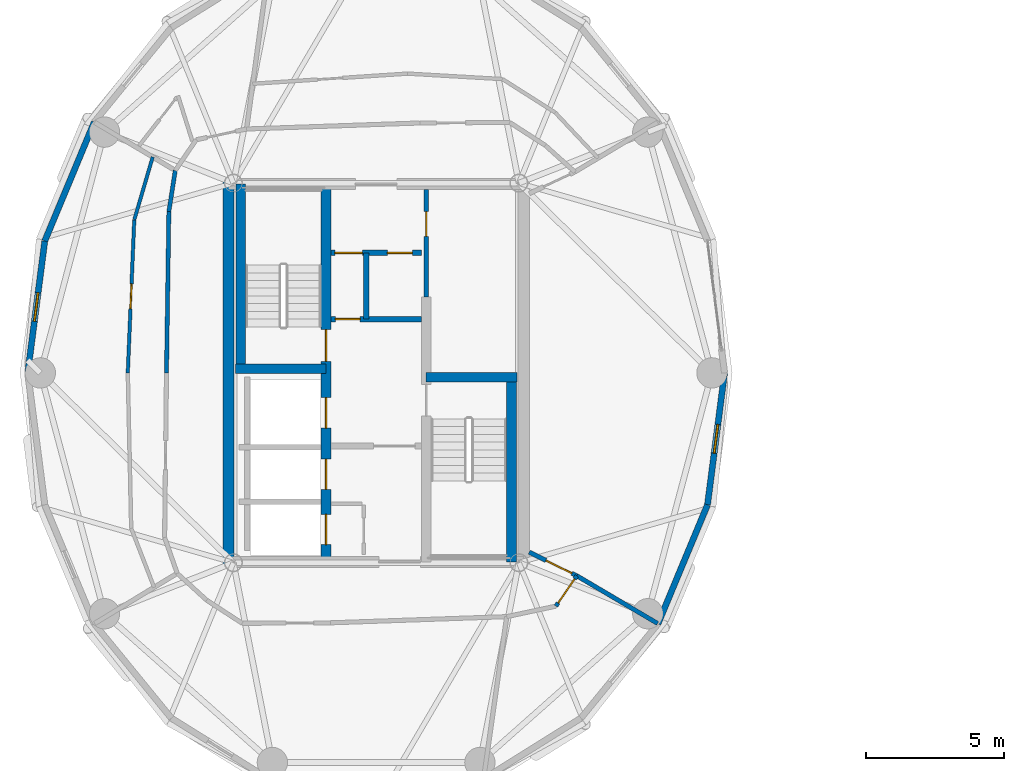
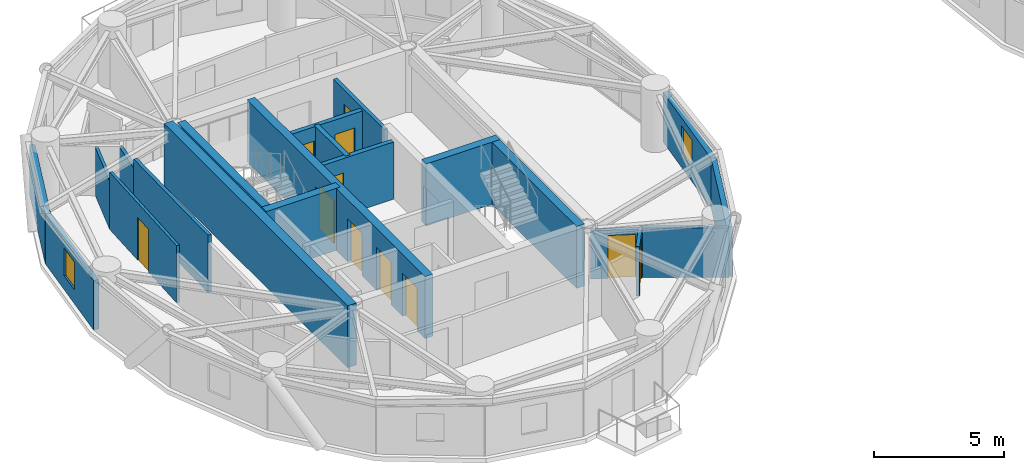
# One storey, part 8 of 16: 21 walls, 11 doors, 2 windows, 13 openings.
"""IFC4 building model written with IfcOpenShell, lengths in metres."""

from ifc_helpers import new_model, si_unit, direction, frame, frame_2d, origin, place, context, subcontext, project, spatial, rectangle, extrude, source, transform, mapped, material, layer, layer_set, type_object, element, fill, save


model = new_model("IFC4")

# Units and contexts
model_context = context("Model", 3, precision=1e-05, world=origin(), true_north=direction((0.0, 1.0)))
body_context = subcontext(model_context, "Body", "Model", "MODEL_VIEW")
ifc_project = project(units=[si_unit("LENGTHUNIT", "METRE"), si_unit("AREAUNIT", "SQUARE_METRE"), si_unit("VOLUMEUNIT", "CUBIC_METRE"), si_unit("PLANEANGLEUNIT", "RADIAN"), si_unit("MASSUNIT", "GRAM", prefix="KILO")], contexts=[model_context])

# Site, building, storey
site_placement = place(None, origin())
site = spatial("IfcSite", under=ifc_project, at=site_placement, CompositionType="ELEMENT")
building_placement = place(site_placement, origin())
building = spatial("IfcBuilding", under=site, at=building_placement, Name="Cununo Teusaquillo Station Towers", CompositionType="ELEMENT")
storey_placement = place(building_placement, frame((0.0, 0.0, 217.030029296875)))
storey = spatial("IfcBuildingStorey", under=building, at=storey_placement, Name="L69", CompositionType="ELEMENT", Elevation=217.030029296875)

# Wall, openings, doors
ifc_material_1 = material(Name="Concrete C50/60", Category="concrete")
ifc_layer_1 = layer(ifc_material_1, 0.35009765625)
ifc_layer_set_1 = layer_set([ifc_layer_1], Name="Concrete C50/60")
wall_type_1 = type_object("IfcWallType", Name="WL-CORE-350", PredefinedType="SHEAR", material=ifc_layer_set_1)
wall_1_placement = place(storey_placement, frame((14.68505859375, 17.64990234375, 0.0), z_axis=(0.0, 0.0, 1.0), x_axis=(0.0, 1.0, 0.0)))
wall_1 = element("IfcWall", 1, at=wall_1_placement, inside=storey, type_object=wall_type_1, Name="L69 Tower A Core Shear Wall IW", PredefinedType="SHEAR", context=body_context, shape_type="SweptSolid", body=[
    extrude(rectangle(XDim=13.7001953125, YDim=0.35009765625, at=frame_2d((6.85009765625, 0.0))), origin(), (0.0, 0.0, 1.0), 2.909912109375),
])
shared_shape_1 = source(origin(), body_context, "Body", "SweptSolid", [
    extrude(rectangle(XDim=1.10009765625, YDim=2.014892578125, at=frame_2d((0.550048828125, 1.00732421875))), frame((0.0, 0.18505859375, 0.0), z_axis=(0.0, -1.0, 0.0), x_axis=(1.0, 0.0, 0.0)), (0.0, 0.0, 1.0), 0.3701171875),
])
opening_1_placement = place(wall_1_placement, frame((4.85009765625, 0.0, 0.0)))
opening_1 = element("IfcOpeningElement", 2, at=opening_1_placement, cuts=wall_1, Name="Opening LD-01", PredefinedType="OPENING", context=body_context, shape_type="MappedRepresentation", body=[
    mapped(shared_shape_1, transform((0.0, 0.0, 0.0), x_axis=(1.0, 0.0, 0.0), y_axis=(0.0, 1.0, 0.0), z_axis=(0.0, 0.0, 1.0), scale=1.0)),
])
opening_2_placement = place(wall_1_placement, frame((0.625, 0.0, 0.0)))
opening_2 = element("IfcOpeningElement", 3, at=opening_2_placement, cuts=wall_1, Name="Opening LD-01", PredefinedType="OPENING", context=body_context, shape_type="MappedRepresentation", body=[
    mapped(shared_shape_1, transform((0.0, 0.0, 0.0), x_axis=(1.0, 0.0, 0.0), y_axis=(0.0, 1.0, 0.0), z_axis=(0.0, 0.0, 1.0), scale=1.0)),
])
opening_3_placement = place(wall_1_placement, frame((2.625, 0.0, 0.0)))
opening_3 = element("IfcOpeningElement", 4, at=opening_3_placement, cuts=wall_1, Name="Opening LD-01", PredefinedType="OPENING", context=body_context, shape_type="MappedRepresentation", body=[
    mapped(shared_shape_1, transform((0.0, 0.0, 0.0), x_axis=(1.0, 0.0, 0.0), y_axis=(0.0, 1.0, 0.0), z_axis=(0.0, 0.0, 1.0), scale=1.0)),
])
shared_shape_2 = source(origin(), body_context, "Body", "SweptSolid", [
    extrude(rectangle(XDim=1.14990234375, YDim=2.02001953125, at=frame_2d((0.574951171875, 1.010009765625))), frame((0.0, 0.18505859375, 0.0), z_axis=(0.0, -1.0, 0.0), x_axis=(1.0, 0.0, 0.0)), (0.0, 0.0, 1.0), 0.3701171875),
])
opening_4_placement = place(wall_1_placement, frame((7.27001953125, 0.0, 0.0)))
opening_4 = element("IfcOpeningElement", 5, at=opening_4_placement, cuts=wall_1, Name="Opening D-ST1", PredefinedType="OPENING", context=body_context, shape_type="MappedRepresentation", body=[
    mapped(shared_shape_2, transform((0.0, 0.0, 0.0), x_axis=(1.0, 0.0, 0.0), y_axis=(0.0, 1.0, 0.0), z_axis=(0.0, 0.0, 1.0), scale=1.0)),
])
ifc_material_2 = material(Name="Galvanised fire-rated hollow steel door assembly", Category="steel")
door_type_1 = type_object("IfcDoorType", Name="DR-LIFT-1100", OperationType="SLIDING_TO_LEFT", PredefinedType="DOOR", material=ifc_material_2)
shared_shape_3 = source(origin(), body_context, "Body", "SweptSolid", [
    extrude(rectangle(XDim=1.10009765625, YDim=2.014892578125, at=frame_2d((0.550048828125, 1.00732421875))), frame((0.0, 0.02490234375, 0.0), z_axis=(0.0, -1.0, 0.0), x_axis=(1.0, 0.0, 0.0)), (0.0, 0.0, 1.0), 0.050048828125),
])
door_1_placement = place(opening_1_placement, origin())
door_1 = element("IfcDoor", 6, at=door_1_placement, inside=storey, type_object=door_type_1, Name="L69 Lift FL-T1 Sliding Landing Door", OperationType="SLIDING_TO_RIGHT", OverallHeight=2.014892578125, OverallWidth=1.10009765625, PredefinedType="DOOR", context=body_context, shape_type="MappedRepresentation", body=[
    mapped(shared_shape_3, transform((0.0, 0.0, 0.0), x_axis=(1.0, 0.0, 0.0), y_axis=(0.0, 1.0, 0.0), z_axis=(0.0, 0.0, 1.0), scale=1.0)),
])
fill(opening_1, door_1)
door_2_placement = place(opening_2_placement, origin())
door_2 = element("IfcDoor", 7, at=door_2_placement, inside=storey, type_object=door_type_1, Name="L69 Lift PL-T1-H1 Sliding Landing Door", OperationType="SLIDING_TO_RIGHT", OverallHeight=2.014892578125, OverallWidth=1.10009765625, PredefinedType="DOOR", context=body_context, shape_type="MappedRepresentation", body=[
    mapped(shared_shape_3, transform((0.0, 0.0, 0.0), x_axis=(1.0, 0.0, 0.0), y_axis=(0.0, 1.0, 0.0), z_axis=(0.0, 0.0, 1.0), scale=1.0)),
])
fill(opening_2, door_2)
door_3_placement = place(opening_3_placement, origin())
door_3 = element("IfcDoor", 8, at=door_3_placement, inside=storey, type_object=door_type_1, Name="L69 Lift PL-T1-H2 Sliding Landing Door", OperationType="SLIDING_TO_LEFT", OverallHeight=2.014892578125, OverallWidth=1.10009765625, PredefinedType="DOOR", context=body_context, shape_type="MappedRepresentation", body=[
    mapped(shared_shape_3, transform((0.0, 0.0, 0.0), x_axis=(1.0, 0.0, 0.0), y_axis=(0.0, 1.0, 0.0), z_axis=(0.0, 0.0, 1.0), scale=1.0)),
])
fill(opening_3, door_3)
ifc_material_3 = material(Name="Galvanised fire-rated hollow steel door assembly", Category="steel")
door_type_2 = type_object("IfcDoorType", Name="DR-STAIR-1150", OperationType="NOTDEFINED", PredefinedType="DOOR", material=ifc_material_3)
shared_shape_4 = source(origin(), body_context, "Body", "SweptSolid", [
    extrude(rectangle(XDim=1.14990234375, YDim=2.02001953125, at=frame_2d((0.574951171875, 1.010009765625))), frame((0.0, 0.02490234375, 0.0), z_axis=(0.0, -1.0, 0.0), x_axis=(1.0, 0.0, 0.0)), (0.0, 0.0, 1.0), 0.050048828125),
])
door_4_placement = place(opening_4_placement, origin())
door_4 = element("IfcDoor", 9, at=door_4_placement, inside=storey, type_object=door_type_2, Name="L69 Tower A Exit Stair 1 Fire Door", OperationType="SINGLE_SWING_RIGHT", OverallHeight=2.02001953125, OverallWidth=1.14990234375, PredefinedType="DOOR", context=body_context, shape_type="MappedRepresentation", body=[
    mapped(shared_shape_4, transform((0.0, 0.0, 0.0), x_axis=(1.0, 0.0, 0.0), y_axis=(0.0, 1.0, 0.0), z_axis=(0.0, 0.0, 1.0), scale=1.0)),
])
fill(opening_4, door_4)

# Walls
wall_2_placement = place(storey_placement, frame((11.594970703125, 24.655029296875, 0.0), z_axis=(0.0, 0.0, 1.0), x_axis=(0.0, 1.0, 0.0)))
element("IfcWall", 10, at=wall_2_placement, inside=storey, type_object=wall_type_1, Name="L69 Tower A Core Shear Wall ST1W", PredefinedType="SHEAR", context=body_context, shape_type="SweptSolid", body=[
    extrude(rectangle(XDim=6.695068359375, YDim=0.35009765625, at=frame_2d((3.34765625, 0.0))), origin(), (0.0, 0.0, 1.0), 2.909912109375),
])
wall_3_placement = place(storey_placement, frame((11.39990234375, 24.655029296875, 0.0), z_axis=(0.0, 0.0, 1.0), x_axis=(1.0, 0.0, 0.0)))
element("IfcWall", 11, at=wall_3_placement, inside=storey, type_object=wall_type_1, Name="L69 Tower A Core Shear Wall ST1S", PredefinedType="SHEAR", context=body_context, shape_type="SweptSolid", body=[
    extrude(rectangle(XDim=3.28515625, YDim=0.35009765625, at=frame_2d((1.642578125, 0.0))), origin(), (0.0, 0.0, 1.0), 2.909912109375),
])
wall_4_placement = place(storey_placement, frame((21.405029296875, 17.64990234375, 0.0), z_axis=(0.0, 0.0, 1.0), x_axis=(0.0, 1.0, 0.0)))
element("IfcWall", 12, at=wall_4_placement, inside=storey, type_object=wall_type_1, Name="L69 Tower A Core Shear Wall ST2E", PredefinedType="SHEAR", context=body_context, shape_type="SweptSolid", body=[
    extrude(rectangle(XDim=6.695068359375, YDim=0.35009765625, at=frame_2d((3.34765625, 0.0))), origin(), (0.0, 0.0, 1.0), 2.909912109375),
])
wall_5_placement = place(storey_placement, frame((18.31494140625, 24.344970703125, 0.0), z_axis=(0.0, 0.0, 1.0), x_axis=(1.0, 0.0, 0.0)))
element("IfcWall", 13, at=wall_5_placement, inside=storey, type_object=wall_type_1, Name="L69 Tower A Core Shear Wall ST2N", PredefinedType="SHEAR", context=body_context, shape_type="SweptSolid", body=[
    extrude(rectangle(XDim=3.28515625, YDim=0.35009765625, at=frame_2d((1.642578125, 0.0))), origin(), (0.0, 0.0, 1.0), 2.909912109375),
])
ifc_material_4 = material(Name="Concrete C50/60", Category="concrete")
ifc_layer_2 = layer(ifc_material_4, 0.39990234375)
ifc_layer_set_2 = layer_set([ifc_layer_2], Name="Concrete C50/60")
wall_type_2 = type_object("IfcWallType", Name="WL-CORE-400", PredefinedType="SHEAR", material=ifc_layer_set_2)
wall_6_placement = place(storey_placement, frame((11.14990234375, 17.449951171875, 0.0), z_axis=(0.0, 0.0, 1.0), x_axis=(0.0, 1.0, 0.0)))
element("IfcWall", 14, at=wall_6_placement, inside=storey, type_object=wall_type_2, Name="L69 Tower A Core Shear Wall W", PredefinedType="SHEAR", context=body_context, shape_type="SweptSolid", body=[
    extrude(rectangle(XDim=14.10009765625, YDim=0.39990234375, at=frame_2d((7.050048828125, 0.0))), origin(), (0.0, 0.0, 1.0), 2.909912109375),
])
ifc_material_5 = material(Name="Precast concrete C40/50", Category="concrete")
ifc_layer_3 = layer(ifc_material_5, 0.219970703125)
ifc_layer_set_3 = layer_set([ifc_layer_3], Name="Precast concrete C40/50")
wall_type_3 = type_object("IfcWallType", Name="WL-EXT-220", PredefinedType="SOLIDWALL", material=ifc_layer_set_3)
wall_7_placement = place(storey_placement, frame((4.48828125, 29.280517578125, 0.0), z_axis=(0.0, 0.0, 1.0), x_axis=(0.384036305194, 0.923317993052, 0.0)))
element("IfcWall", 15, at=wall_7_placement, inside=storey, type_object=wall_type_3, Name="L69 Tower A Exterior Facade Wall C08", PredefinedType="SOLIDWALL", context=body_context, shape_type="SweptSolid", body=[
    extrude(rectangle(XDim=4.670654296875, YDim=0.219970703125, at=frame_2d((2.33544921875, 0.0))), origin(), (0.0, 0.0, 1.0), 2.322021484375),
])

# Wall, opening, window
wall_8_placement = place(storey_placement, frame((3.8701171875, 24.5, 0.0), z_axis=(0.0, 0.0, 1.0), x_axis=(0.128241318541, 0.991742993027, 0.0)))
wall_8 = element("IfcWall", 16, at=wall_8_placement, inside=storey, type_object=wall_type_3, Name="L69 Tower A Exterior Facade Wall C09", PredefinedType="SOLIDWALL", context=body_context, shape_type="SweptSolid", body=[
    extrude(rectangle(XDim=4.8203125, YDim=0.219970703125, at=frame_2d((2.41015625, 0.0))), origin(), (0.0, 0.0, 1.0), 2.322021484375),
])
shared_shape_5 = source(origin(), body_context, "Body", "SweptSolid", [
    extrude(rectangle(XDim=1.050048828125, YDim=1.300048828125, at=frame_2d((0.52490234375, 0.64990234375))), frame((0.0, 0.119873046875, 0.0), z_axis=(0.0, -1.0, 0.0), x_axis=(1.0, 0.0, 0.0)), (0.0, 0.0, 1.0), 0.239990234375),
])
opening_5_placement = place(wall_8_placement, frame((1.885009765625, 0.0, 0.64990234375)))
opening_5 = element("IfcOpeningElement", 17, at=opening_5_placement, cuts=wall_8, Name="Opening WN-04", PredefinedType="OPENING", context=body_context, shape_type="MappedRepresentation", body=[
    mapped(shared_shape_5, transform((0.0, 0.0, 0.0), x_axis=(1.0, 0.0, 0.0), y_axis=(0.0, 1.0, 0.0), z_axis=(0.0, 0.0, 1.0), scale=1.0)),
])
ifc_material_6 = material(Name="Operable acoustic tinted low-E double glazing", Category="glass")
window_type = type_object("IfcWindowType", Name="WIN-BAL-1050", PartitioningType="SINGLE_PANEL", PredefinedType="WINDOW", material=ifc_material_6)
shared_shape_6 = source(origin(), body_context, "Body", "SweptSolid", [
    extrude(rectangle(XDim=1.050048828125, YDim=1.300048828125, at=frame_2d((0.52490234375, 0.64990234375))), frame((0.0, 0.030029296875, 0.0), z_axis=(0.0, -1.0, 0.0), x_axis=(1.0, 0.0, 0.0)), (0.0, 0.0, 1.0), 0.06005859375),
])
window_1_placement = place(opening_5_placement, origin())
window_1 = element("IfcWindow", 18, at=window_1_placement, inside=storey, type_object=window_type, Name="L69 Tower A Facade Window C09", OverallHeight=1.300048828125, OverallWidth=1.050048828125, PartitioningType="SINGLE_PANEL", PredefinedType="WINDOW", context=body_context, shape_type="MappedRepresentation", body=[
    mapped(shared_shape_6, transform((0.0, 0.0, 0.0), x_axis=(1.0, 0.0, 0.0), y_axis=(0.0, 1.0, 0.0), z_axis=(0.0, 0.0, 1.0), scale=1.0)),
])
fill(opening_5, window_1)

# Wall
wall_9_placement = place(storey_placement, frame((28.51171875, 19.719482421875, 0.0), z_axis=(0.0, 0.0, 1.0), x_axis=(-0.384036305194, -0.923317993052, 0.0)))
element("IfcWall", 19, at=wall_9_placement, inside=storey, type_object=wall_type_3, Name="L69 Tower A Exterior Facade Wall C18", PredefinedType="SOLIDWALL", context=body_context, shape_type="SweptSolid", body=[
    extrude(rectangle(XDim=4.670654296875, YDim=0.219970703125, at=frame_2d((2.33544921875, 0.0))), origin(), (0.0, 0.0, 1.0), 2.322021484375),
])

# Wall, opening, window
wall_10_placement = place(storey_placement, frame((29.1298828125, 24.5, 0.0), z_axis=(0.0, 0.0, 1.0), x_axis=(-0.128241318541, -0.991742993027, 0.0)))
wall_10 = element("IfcWall", 20, at=wall_10_placement, inside=storey, type_object=wall_type_3, Name="L69 Tower A Exterior Facade Wall C19", PredefinedType="SOLIDWALL", context=body_context, shape_type="SweptSolid", body=[
    extrude(rectangle(XDim=4.8203125, YDim=0.219970703125, at=frame_2d((2.41015625, 0.0))), origin(), (0.0, 0.0, 1.0), 2.322021484375),
])
opening_6_placement = place(wall_10_placement, frame((1.885009765625, 0.0, 0.64990234375)))
opening_6 = element("IfcOpeningElement", 21, at=opening_6_placement, cuts=wall_10, Name="Opening WN-04", PredefinedType="OPENING", context=body_context, shape_type="MappedRepresentation", body=[
    mapped(shared_shape_5, transform((0.0, 0.0, 0.0), x_axis=(1.0, 0.0, 0.0), y_axis=(0.0, 1.0, 0.0), z_axis=(0.0, 0.0, 1.0), scale=1.0)),
])
window_2_placement = place(opening_6_placement, origin())
window_2 = element("IfcWindow", 22, at=window_2_placement, inside=storey, type_object=window_type, Name="L69 Tower A Facade Window C19", OverallHeight=1.300048828125, OverallWidth=1.050048828125, PartitioningType="SINGLE_PANEL", PredefinedType="WINDOW", context=body_context, shape_type="MappedRepresentation", body=[
    mapped(shared_shape_6, transform((0.0, 0.0, 0.0), x_axis=(1.0, 0.0, 0.0), y_axis=(0.0, 1.0, 0.0), z_axis=(0.0, 0.0, 1.0), scale=1.0)),
])
fill(opening_6, window_2)

# Wall
ifc_material_7 = material(Name="Fire-rated gypsum plasterboard partition assembly", Category="gypsum")
ifc_layer_4 = layer(ifc_material_7, 0.125)
ifc_layer_set_4 = layer_set([ifc_layer_4], Name="Fire-rated gypsum plasterboard partition assembly")
wall_type_4 = type_object("IfcWallType", Name="WL-PART-125", PredefinedType="PARTITIONING", material=ifc_layer_set_4)
wall_11_placement = place(storey_placement, frame((8.40087890625, 32.32568359375, 0.0), z_axis=(0.0, 0.0, 1.0), x_axis=(-0.281681886596, -0.959507850288, 0.0)))
element("IfcWall", 23, at=wall_11_placement, inside=storey, type_object=wall_type_4, Name="L69 Tower A Cordillera Pinnacle Club Concentric Partition Wall C08", PredefinedType="PARTITIONING", context=body_context, shape_type="SweptSolid", body=[
    extrude(rectangle(XDim=2.3740234375, YDim=0.125, at=frame_2d((1.18701171875, 0.0))), origin(), (0.0, 0.0, 1.0), 2.2548828125),
])

# Wall, opening, door
wall_12_placement = place(storey_placement, frame((7.732177734375, 30.0478515625, 0.0), z_axis=(0.0, 0.0, 1.0), x_axis=(-0.042296211955, -0.999105114817, 0.0)))
wall_12 = element("IfcWall", 24, at=wall_12_placement, inside=storey, type_object=wall_type_4, Name="L69 Tower A Cordillera Pinnacle Club Concentric Partition Wall C09", PredefinedType="PARTITIONING", context=body_context, shape_type="SweptSolid", body=[
    extrude(rectangle(XDim=5.552734375, YDim=0.125, at=frame_2d((2.7763671875, 0.0))), origin(), (0.0, 0.0, 1.0), 2.68505859375),
])
shared_shape_7 = source(origin(), body_context, "Body", "SweptSolid", [
    extrude(rectangle(XDim=0.89990234375, YDim=2.0048828125, at=frame_2d((0.449951171875, 1.00244140625))), frame((0.0, 0.072509765625, 0.0), z_axis=(0.0, -1.0, 0.0), x_axis=(1.0, 0.0, 0.0)), (0.0, 0.0, 1.0), 0.14501953125),
])
opening_7_placement = place(wall_12_placement, frame((2.326416015625, 0.0, 0.0)))
opening_7 = element("IfcOpeningElement", 25, at=opening_7_placement, cuts=wall_12, Name="Opening D-IN1", PredefinedType="OPENING", context=body_context, shape_type="MappedRepresentation", body=[
    mapped(shared_shape_7, transform((0.0, 0.0, 0.0), x_axis=(1.0, 0.0, 0.0), y_axis=(0.0, 1.0, 0.0), z_axis=(0.0, 0.0, 1.0), scale=1.0)),
])
ifc_material_8 = material(Name="Acoustic solid-core hardwood leaf assembly", Category="wood")
door_type_3 = type_object("IfcDoorType", Name="DR-INT-900", OperationType="NOTDEFINED", PredefinedType="DOOR", material=ifc_material_8)
shared_shape_8 = source(origin(), body_context, "Body", "SweptSolid", [
    extrude(rectangle(XDim=0.89990234375, YDim=2.0048828125, at=frame_2d((0.449951171875, 1.00244140625))), frame((0.0, 0.02490234375, 0.0), z_axis=(0.0, -1.0, 0.0), x_axis=(1.0, 0.0, 0.0)), (0.0, 0.0, 1.0), 0.050048828125),
])
door_5_placement = place(opening_7_placement, origin())
door_5 = element("IfcDoor", 26, at=door_5_placement, inside=storey, type_object=door_type_3, Name="L69 Tower A Cordillera Pinnacle Club Connecting Door", OperationType="SINGLE_SWING_RIGHT", OverallHeight=2.0048828125, OverallWidth=0.89990234375, PredefinedType="DOOR", context=body_context, shape_type="MappedRepresentation", body=[
    mapped(shared_shape_8, transform((0.0, 0.0, 0.0), x_axis=(1.0, 0.0, 0.0), y_axis=(0.0, 1.0, 0.0), z_axis=(0.0, 0.0, 1.0), scale=1.0)),
])
fill(opening_7, door_5)

# Walls
ifc_material_9 = material(Name="Fire-rated gypsum plasterboard partition assembly", Category="gypsum")
ifc_layer_5 = layer(ifc_material_9, 0.14990234375)
ifc_layer_set_5 = layer_set([ifc_layer_5], Name="Fire-rated gypsum plasterboard partition assembly")
wall_type_5 = type_object("IfcWallType", Name="WL-PART-150", PredefinedType="PARTITIONING", material=ifc_layer_set_5)
wall_13_placement = place(storey_placement, frame((9.218505859375, 31.837646484375, 0.0), z_axis=(0.0, 0.0, 1.0), x_axis=(-0.154065528966, -0.98806063214, 0.0)))
element("IfcWall", 27, at=wall_13_placement, inside=storey, type_object=wall_type_5, Name="L69 Tower A Corridor Ring Wall C08", PredefinedType="PARTITIONING", context=body_context, shape_type="SweptSolid", body=[
    extrude(rectangle(XDim=1.507080078125, YDim=0.14990234375, at=frame_2d((0.75341796875, 0.0))), origin(), (0.0, 0.0, 1.0), 2.2548828125),
])
wall_14_placement = place(storey_placement, frame((8.986328125, 30.3486328125, 0.0), z_axis=(0.0, 0.0, 1.0), x_axis=(-0.014775478218, -0.999890836663, 0.0)))
element("IfcWall", 28, at=wall_14_placement, inside=storey, type_object=wall_type_5, Name="L69 Tower A Corridor Ring Wall C09", PredefinedType="PARTITIONING", context=body_context, shape_type="SweptSolid", body=[
    extrude(rectangle(XDim=5.849365234375, YDim=0.14990234375, at=frame_2d((2.9248046875, 0.0))), origin(), (0.0, 0.0, 1.0), 2.68505859375),
])

# Wall, opening, door
wall_15_placement = place(storey_placement, frame((23.0166015625, 16.045166015625, 0.0), z_axis=(0.0, 0.0, 1.0), x_axis=(0.566660656138, 0.823951273308, 0.0)))
wall_15 = element("IfcWall", 29, at=wall_15_placement, inside=storey, type_object=wall_type_5, Name="L69 Tower A Corridor Ring Wall C17", PredefinedType="PARTITIONING", context=body_context, shape_type="SweptSolid", body=[
    extrude(rectangle(XDim=1.3359375, YDim=0.14990234375, at=frame_2d((0.66796875, 0.0))), origin(), (0.0, 0.0, 1.0), 2.322021484375),
])
shared_shape_9 = source(origin(), body_context, "Body", "SweptSolid", [
    extrude(rectangle(XDim=1.050048828125, YDim=2.014892578125, at=frame_2d((0.52490234375, 1.00732421875))), frame((0.0, 0.0849609375, 0.0), z_axis=(0.0, -1.0, 0.0), x_axis=(1.0, 0.0, 0.0)), (0.0, 0.0, 1.0), 0.169921875),
])
opening_8_placement = place(wall_15_placement, frame((0.14306640625, 0.0, 0.0)))
opening_8 = element("IfcOpeningElement", 30, at=opening_8_placement, cuts=wall_15, Name="Opening D-SU1", PredefinedType="OPENING", context=body_context, shape_type="MappedRepresentation", body=[
    mapped(shared_shape_9, transform((0.0, 0.0, 0.0), x_axis=(1.0, 0.0, 0.0), y_axis=(0.0, 1.0, 0.0), z_axis=(0.0, 0.0, 1.0), scale=1.0)),
])
ifc_material_10 = material(Name="Acoustic solid-core hardwood leaf assembly", Category="wood")
door_type_4 = type_object("IfcDoorType", Name="DR-SUITE-1050", OperationType="NOTDEFINED", PredefinedType="DOOR", material=ifc_material_10)
shared_shape_10 = source(origin(), body_context, "Body", "SweptSolid", [
    extrude(rectangle(XDim=1.050048828125, YDim=2.014892578125, at=frame_2d((0.52490234375, 1.00732421875))), frame((0.0, 0.02490234375, 0.0), z_axis=(0.0, -1.0, 0.0), x_axis=(1.0, 0.0, 0.0)), (0.0, 0.0, 1.0), 0.050048828125),
])
door_6_placement = place(opening_8_placement, origin())
door_6 = element("IfcDoor", 31, at=door_6_placement, inside=storey, type_object=door_type_4, Name="L69 Tower A Hotel Housekeeping & Linen Pantry Entrance Door", OperationType="SINGLE_SWING_RIGHT", OverallHeight=2.014892578125, OverallWidth=1.050048828125, PredefinedType="DOOR", context=body_context, shape_type="MappedRepresentation", body=[
    mapped(shared_shape_10, transform((0.0, 0.0, 0.0), x_axis=(1.0, 0.0, 0.0), y_axis=(0.0, 1.0, 0.0), z_axis=(0.0, 0.0, 1.0), scale=1.0)),
])
fill(opening_8, door_6)

ifc_material_11 = material(Name="Fire-rated gypsum plasterboard partition assembly", Category="gypsum")
ifc_layer_6 = layer(ifc_material_11, 0.159912109375)
ifc_layer_set_6 = layer_set([ifc_layer_6], Name="Fire-rated gypsum plasterboard partition assembly")
wall_type_6 = type_object("IfcWallType", Name="WL-PART-160", PredefinedType="PARTITIONING", material=ifc_layer_set_6)
wall_16_placement = place(storey_placement, frame((18.31494140625, 27.25, 0.0), z_axis=(0.0, 0.0, 1.0), x_axis=(0.0, 1.0, 0.0)))
wall_16 = element("IfcWall", 32, at=wall_16_placement, inside=storey, type_object=wall_type_6, Name="L69 Tower A Reclaimed Core Bay Entry Wall", PredefinedType="PARTITIONING", context=body_context, shape_type="SweptSolid", body=[
    extrude(rectangle(XDim=3.89990234375, YDim=0.159912109375, at=frame_2d((1.949951171875, 0.0))), origin(), (0.0, 0.0, 1.0), 2.68505859375),
])
shared_shape_11 = source(origin(), body_context, "Body", "SweptSolid", [
    extrude(rectangle(XDim=0.89990234375, YDim=2.0048828125, at=frame_2d((0.449951171875, 1.00244140625))), frame((0.0, 0.08984375, 0.0), z_axis=(0.0, -1.0, 0.0), x_axis=(1.0, 0.0, 0.0)), (0.0, 0.0, 1.0), 0.179931640625),
])
opening_9_placement = place(wall_16_placement, frame((2.199951171875, 0.0, 0.0)))
opening_9 = element("IfcOpeningElement", 33, at=opening_9_placement, cuts=wall_16, Name="Opening D-IN1", PredefinedType="OPENING", context=body_context, shape_type="MappedRepresentation", body=[
    mapped(shared_shape_11, transform((0.0, 0.0, 0.0), x_axis=(1.0, 0.0, 0.0), y_axis=(0.0, 1.0, 0.0), z_axis=(0.0, 0.0, 1.0), scale=1.0)),
])
door_7_placement = place(opening_9_placement, origin())
door_7 = element("IfcDoor", 34, at=door_7_placement, inside=storey, type_object=door_type_3, Name="L69 Tower A Reclaimed Core Lounge Door", OperationType="SINGLE_SWING_RIGHT", OverallHeight=2.0048828125, OverallWidth=0.89990234375, PredefinedType="DOOR", context=body_context, shape_type="MappedRepresentation", body=[
    mapped(shared_shape_8, transform((0.0, 0.0, 0.0), x_axis=(1.0, 0.0, 0.0), y_axis=(0.0, 1.0, 0.0), z_axis=(0.0, 0.0, 1.0), scale=1.0)),
])
fill(opening_9, door_7)

# Wall
wall_17_placement = place(storey_placement, frame((23.773681640625, 17.14599609375, 0.0), z_axis=(0.0, 0.0, 1.0), x_axis=(0.861296601099, -0.508102514198, 0.0)))
element("IfcWall", 35, at=wall_17_placement, inside=storey, type_object=wall_type_6, Name="L69 Tower A Radial Suite Partition R06", PredefinedType="PARTITIONING", context=body_context, shape_type="SweptSolid", body=[
    extrude(rectangle(XDim=3.3994140625, YDim=0.159912109375, at=frame_2d((1.69970703125, 0.0))), origin(), (0.0, 0.0, 1.0), 2.322021484375),
])

# Wall, opening, door
wall_18_placement = place(storey_placement, frame((22.050048828125, 18.0, 0.0), z_axis=(0.0, 0.0, 1.0), x_axis=(0.896045848613, -0.443961526692, 0.0)))
wall_18 = element("IfcWall", 36, at=wall_18_placement, inside=storey, type_object=wall_type_6, Name="L69 Tower A East Salon Corridor Portal Wall SE", PredefinedType="PARTITIONING", context=body_context, shape_type="SweptSolid", body=[
    extrude(rectangle(XDim=1.923583984375, YDim=0.159912109375, at=frame_2d((0.9619140625, 0.0))), origin(), (0.0, 0.0, 1.0), 2.2548828125),
])
shared_shape_12 = source(origin(), body_context, "Body", "SweptSolid", [
    extrude(rectangle(XDim=1.050048828125, YDim=2.014892578125, at=frame_2d((0.52490234375, 1.00732421875))), frame((0.0, 0.08984375, 0.0), z_axis=(0.0, -1.0, 0.0), x_axis=(1.0, 0.0, 0.0)), (0.0, 0.0, 1.0), 0.179931640625),
])
opening_10_placement = place(wall_18_placement, frame((0.673583984375, 0.0, 0.0)))
opening_10 = element("IfcOpeningElement", 37, at=opening_10_placement, cuts=wall_18, Name="Opening D-SU1", PredefinedType="OPENING", context=body_context, shape_type="MappedRepresentation", body=[
    mapped(shared_shape_12, transform((0.0, 0.0, 0.0), x_axis=(1.0, 0.0, 0.0), y_axis=(0.0, 1.0, 0.0), z_axis=(0.0, 0.0, 1.0), scale=1.0)),
])
door_8_placement = place(opening_10_placement, origin())
door_8 = element("IfcDoor", 38, at=door_8_placement, inside=storey, type_object=door_type_4, Name="L69 Tower A East Panorama Sky Salon Door SE", OperationType="SINGLE_SWING_RIGHT", OverallHeight=2.014892578125, OverallWidth=1.050048828125, PredefinedType="DOOR", context=body_context, shape_type="MappedRepresentation", body=[
    mapped(shared_shape_10, transform((0.0, 0.0, 0.0), x_axis=(1.0, 0.0, 0.0), y_axis=(0.0, 1.0, 0.0), z_axis=(0.0, 0.0, 1.0), scale=1.0)),
])
fill(opening_10, door_8)

ifc_material_12 = material(Name="Fire-rated gypsum plasterboard partition assembly", Category="gypsum")
ifc_layer_7 = layer(ifc_material_12, 0.199951171875)
ifc_layer_set_7 = layer_set([ifc_layer_7], Name="Fire-rated gypsum plasterboard partition assembly")
wall_type_7 = type_object("IfcWallType", Name="WL-PART-200", PredefinedType="PARTITIONING", material=ifc_layer_set_7)
wall_19_placement = place(storey_placement, frame((14.860107421875, 26.449951171875, 0.0), z_axis=(0.0, 0.0, 1.0), x_axis=(1.0, 0.0, 0.0)))
wall_19 = element("IfcWall", 39, at=wall_19_placement, inside=storey, type_object=wall_type_7, Name="L69 Tower A Firefighting Lift Lobby North Fire Wall", PredefinedType="PARTITIONING", context=body_context, shape_type="SweptSolid", body=[
    extrude(rectangle(XDim=3.27978515625, YDim=0.199951171875, at=frame_2d((1.639892578125, 0.0))), origin(), (0.0, 0.0, 1.0), 2.68505859375),
])
shared_shape_13 = source(origin(), body_context, "Body", "SweptSolid", [
    extrude(rectangle(XDim=0.89990234375, YDim=2.0048828125, at=frame_2d((0.449951171875, 1.00244140625))), frame((0.0, 0.10986328125, 0.0), z_axis=(0.0, -1.0, 0.0), x_axis=(1.0, 0.0, 0.0)), (0.0, 0.0, 1.0), 0.219970703125),
])
opening_11_placement = place(wall_19_placement, frame((0.159912109375, 0.0, 0.0)))
opening_11 = element("IfcOpeningElement", 40, at=opening_11_placement, cuts=wall_19, Name="Opening D-SR1", PredefinedType="OPENING", context=body_context, shape_type="MappedRepresentation", body=[
    mapped(shared_shape_13, transform((0.0, 0.0, 0.0), x_axis=(1.0, 0.0, 0.0), y_axis=(0.0, 1.0, 0.0), z_axis=(0.0, 0.0, 1.0), scale=1.0)),
])
ifc_material_13 = material(Name="Galvanised fire-rated hollow steel door assembly", Category="steel")
door_type_5 = type_object("IfcDoorType", Name="DR-STORE-900", OperationType="NOTDEFINED", PredefinedType="DOOR", material=ifc_material_13)
door_9_placement = place(opening_11_placement, origin())
door_9 = element("IfcDoor", 41, at=door_9_placement, inside=storey, type_object=door_type_5, Name="L69 Tower A Stair 1 Protected Vestibule South Door", OperationType="SINGLE_SWING_RIGHT", OverallHeight=2.0048828125, OverallWidth=0.89990234375, PredefinedType="DOOR", context=body_context, shape_type="MappedRepresentation", body=[
    mapped(shared_shape_8, transform((0.0, 0.0, 0.0), x_axis=(1.0, 0.0, 0.0), y_axis=(0.0, 1.0, 0.0), z_axis=(0.0, 0.0, 1.0), scale=1.0)),
])
fill(opening_11, door_9)

# Wall
wall_20_placement = place(storey_placement, frame((16.14990234375, 26.449951171875, 0.0), z_axis=(0.0, 0.0, 1.0), x_axis=(0.0, 1.0, 0.0)))
element("IfcWall", 42, at=wall_20_placement, inside=storey, type_object=wall_type_7, Name="L69 Tower A Stair 1 Vestibule Partition Wall", PredefinedType="PARTITIONING", context=body_context, shape_type="SweptSolid", body=[
    extrude(rectangle(XDim=2.400146484375, YDim=0.199951171875, at=frame_2d((1.2001953125, 0.0))), origin(), (0.0, 0.0, 1.0), 2.68505859375),
])

# Wall, openings, doors
wall_21_placement = place(storey_placement, frame((14.860107421875, 28.85009765625, 0.0), z_axis=(0.0, 0.0, 1.0), x_axis=(1.0, 0.0, 0.0)))
wall_21 = element("IfcWall", 43, at=wall_21_placement, inside=storey, type_object=wall_type_7, Name="L69 Tower A North Lift Lobby South Fire Wall", PredefinedType="PARTITIONING", context=body_context, shape_type="SweptSolid", body=[
    extrude(rectangle(XDim=3.27978515625, YDim=0.199951171875, at=frame_2d((1.639892578125, 0.0))), origin(), (0.0, 0.0, 1.0), 2.68505859375),
])
shared_shape_14 = source(origin(), body_context, "Body", "SweptSolid", [
    extrude(rectangle(XDim=1.0, YDim=2.014892578125, at=frame_2d((0.5, 1.00732421875))), frame((0.0, 0.10986328125, 0.0), z_axis=(0.0, -1.0, 0.0), x_axis=(1.0, 0.0, 0.0)), (0.0, 0.0, 1.0), 0.219970703125),
])
opening_12_placement = place(wall_21_placement, frame((0.139892578125, 0.0, 0.0)))
opening_12 = element("IfcOpeningElement", 44, at=opening_12_placement, cuts=wall_21, Name="Opening D-AC1", PredefinedType="OPENING", context=body_context, shape_type="MappedRepresentation", body=[
    mapped(shared_shape_14, transform((0.0, 0.0, 0.0), x_axis=(1.0, 0.0, 0.0), y_axis=(0.0, 1.0, 0.0), z_axis=(0.0, 0.0, 1.0), scale=1.0)),
])
opening_13_placement = place(wall_21_placement, frame((2.050048828125, 0.0, 0.0)))
opening_13 = element("IfcOpeningElement", 45, at=opening_13_placement, cuts=wall_21, Name="Opening D-SR1", PredefinedType="OPENING", context=body_context, shape_type="MappedRepresentation", body=[
    mapped(shared_shape_13, transform((0.0, 0.0, 0.0), x_axis=(1.0, 0.0, 0.0), y_axis=(0.0, 1.0, 0.0), z_axis=(0.0, 0.0, 1.0), scale=1.0)),
])
door_10_placement = place(opening_13_placement, origin())
door_10 = element("IfcDoor", 46, at=door_10_placement, inside=storey, type_object=door_type_5, Name="L69 Tower A Core Housekeeping & Linen Store Door", OperationType="SINGLE_SWING_LEFT", OverallHeight=2.0048828125, OverallWidth=0.89990234375, PredefinedType="DOOR", context=body_context, shape_type="MappedRepresentation", body=[
    mapped(shared_shape_8, transform((0.0, 0.0, 0.0), x_axis=(1.0, 0.0, 0.0), y_axis=(0.0, 1.0, 0.0), z_axis=(0.0, 0.0, 1.0), scale=1.0)),
])
fill(opening_13, door_10)
ifc_material_14 = material(Name="Acoustic solid-core hardwood leaf assembly", Category="wood")
door_type_6 = type_object("IfcDoorType", Name="DR-ACC-1000", OperationType="NOTDEFINED", PredefinedType="DOOR", material=ifc_material_14)
shared_shape_15 = source(origin(), body_context, "Body", "SweptSolid", [
    extrude(rectangle(XDim=1.0, YDim=2.014892578125, at=frame_2d((0.5, 1.00732421875))), frame((0.0, 0.02490234375, 0.0), z_axis=(0.0, -1.0, 0.0), x_axis=(1.0, 0.0, 0.0)), (0.0, 0.0, 1.0), 0.050048828125),
])
door_11_placement = place(opening_12_placement, origin())
door_11 = element("IfcDoor", 47, at=door_11_placement, inside=storey, type_object=door_type_6, Name="L69 Tower A North Lift Lobby to Stair 1 Vestibule Door", OperationType="SINGLE_SWING_LEFT", OverallHeight=2.014892578125, OverallWidth=1.0, PredefinedType="DOOR", context=body_context, shape_type="MappedRepresentation", body=[
    mapped(shared_shape_15, transform((0.0, 0.0, 0.0), x_axis=(1.0, 0.0, 0.0), y_axis=(0.0, 1.0, 0.0), z_axis=(0.0, 0.0, 1.0), scale=1.0)),
])
fill(opening_12, door_11)

save(model, "model.ifc")
